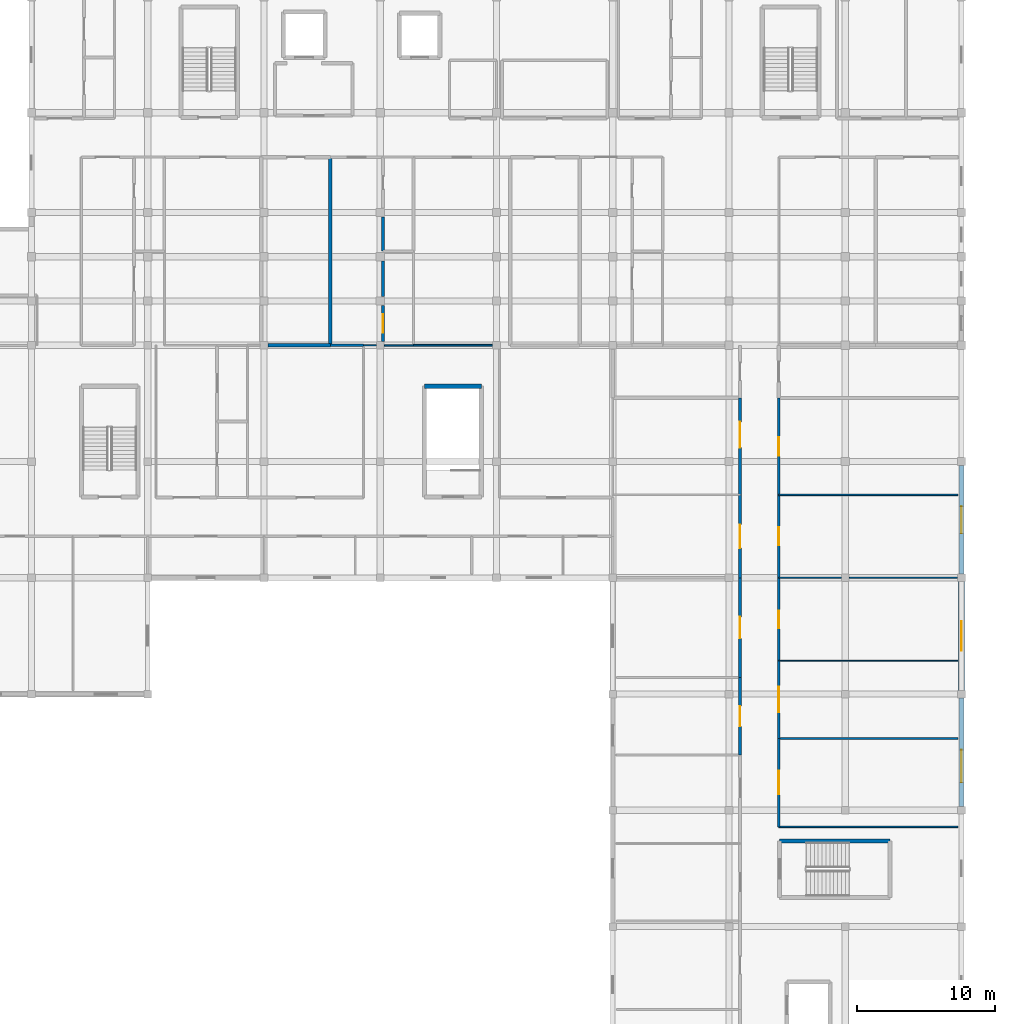
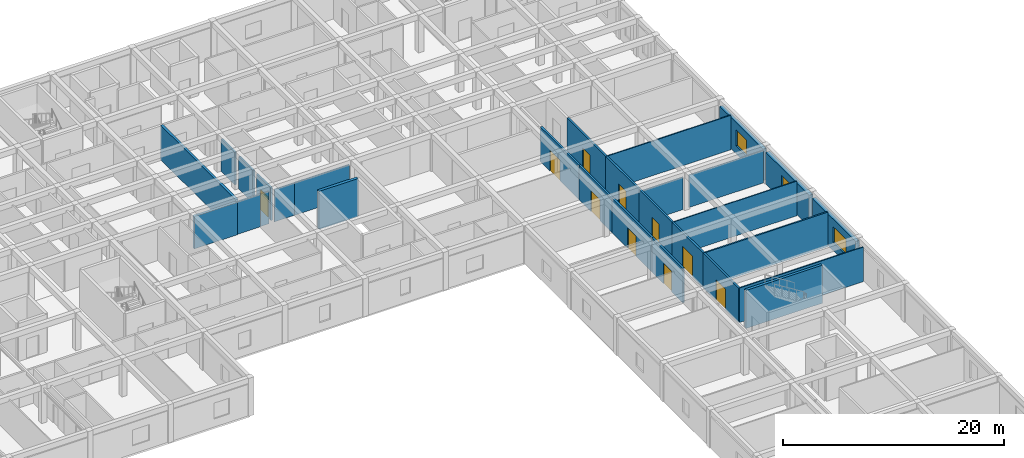
# One storey, part 27 of 42: 29 walls, 10 doors, 3 windows, 13 openings.
"""IFC4 building model written with IfcOpenShell, lengths in metres."""

import ifcopenshell
import ifcopenshell.guid

model = None  # the IFC model being written
_history = None  # IfcOwnerHistory: only IFC2X3 demands one
_inside = {}  # id of a spatial element -> (the spatial element, [elements in it])
_under = {}  # id of a project, library or spatial element -> (it, [spatial elements below it])
_declared = {}  # id of a project -> (the project, [libraries it declares])
_typed = {}  # id of a type object -> (the type object, [elements of that type])
_made_of = {}  # id of a material, layer set ... -> (it, [elements and type objects made of it])


def new_model(schema):
    """Start an empty IFC model of exactly this schema.

    Asked for "IFC4X3", IfcOpenShell would pick the latest addendum, in which some entities
    have other attributes; the version numbers below select the first issue.
    IFC2X3 requires an IfcOwnerHistory on every rooted entity: one is made here for all.
    """
    global model, _history
    if schema == "IFC4X3":
        model = ifcopenshell.file(schema_version=(4, 3, 0, 0))
    else:
        model = ifcopenshell.file(schema=schema)
    _inside.clear()
    _under.clear()
    _declared.clear()
    _typed.clear()
    _made_of.clear()
    _history = None
    if model.schema == "IFC2X3":
        org = make("IfcOrganization", Name="unknown")
        user = make(
            "IfcPersonAndOrganization",
            ThePerson=make("IfcPerson", FamilyName="unknown"),
            TheOrganization=org,
        )
        app = make(
            "IfcApplication",
            ApplicationDeveloper=org,
            Version="unknown",
            ApplicationFullName="unknown",
            ApplicationIdentifier="unknown",
        )
        _history = make(
            "IfcOwnerHistory",
            OwningUser=user,
            OwningApplication=app,
            ChangeAction="ADDED",
            CreationDate=0,
        )
    return model


def make(cls, **values):
    """One entity of the class cls with the attributes given. An attribute that is None is left unset."""
    return model.create_entity(
        cls, **{name: value for name, value in values.items() if value is not None}
    )


def rooted(cls, **values):
    """An entity with a GlobalId (a new one), such as an element, a storey or a relation."""
    return make(cls, GlobalId=ifcopenshell.guid.new(), OwnerHistory=_history, **values)


def si_unit(unit_type, name, prefix=None):
    """IfcSIUnit, for example si_unit("LENGTHUNIT", "METRE", prefix="MILLI")."""
    return make("IfcSIUnit", UnitType=unit_type, Prefix=prefix, Name=name)


def assignment(units):
    """IfcUnitAssignment: the units of a project."""
    return None if units is None else make("IfcUnitAssignment", Units=units)


def point(xyz):
    """IfcCartesianPoint."""
    return None if xyz is None else make("IfcCartesianPoint", Coordinates=xyz)


def direction(xyz):
    """IfcDirection."""
    return None if xyz is None else make("IfcDirection", DirectionRatios=xyz)


def frame(location, z_axis=None, x_axis=None):
    """IfcAxis2Placement3D, a coordinate frame: its origin and axes. An axis left out is left unset."""
    return make(
        "IfcAxis2Placement3D",
        Location=point(location),
        Axis=direction(z_axis),
        RefDirection=direction(x_axis),
    )


def frame_2d(location, x_axis=None):
    """IfcAxis2Placement2D, a coordinate frame in the plane: its origin and x axis."""
    return make(
        "IfcAxis2Placement2D", Location=point(location), RefDirection=direction(x_axis)
    )


def origin():
    """The frame at (0, 0, 0) with its axes left unset."""
    return frame((0.0, 0.0, 0.0))


def place(relative_to, where):
    """IfcLocalPlacement: puts the frame where relative to a parent placement (None: the world)."""
    return make(
        "IfcLocalPlacement", PlacementRelTo=relative_to, RelativePlacement=where
    )


def context(
    kind, dimensions, precision=None, world=None, true_north=None, identifier=None
):
    """IfcGeometricRepresentationContext, for example the 3D "Model" context."""
    return make(
        "IfcGeometricRepresentationContext",
        ContextIdentifier=identifier,
        ContextType=kind,
        CoordinateSpaceDimension=dimensions,
        Precision=precision,
        WorldCoordinateSystem=world,
        TrueNorth=true_north,
    )


def subcontext(parent, identifier, kind, view, scale=None):
    """IfcGeometricRepresentationSubContext, for example "Body" below "Model"."""
    return make(
        "IfcGeometricRepresentationSubContext",
        ContextIdentifier=identifier,
        ContextType=kind,
        ParentContext=parent,
        TargetScale=scale,
        TargetView=view,
    )


def project(units=None, contexts=None):
    """IfcProject with its units and contexts."""
    return rooted(
        "IfcProject",
        Name="project",
        RepresentationContexts=contexts,
        UnitsInContext=assignment(units),
    )


def spatial(cls, under=None, at=None, **own):
    """A site, building, storey or space (cls), placed at a placement, below another one or the project."""
    s = rooted(cls, ObjectPlacement=at, **own)
    if under is not None:
        _under.setdefault(under.id(), (under, []))[1].append(s)
    return s


def profile(cls, at=None, kind="AREA", **sizes):
    """A parametric profile (cls). Its sizes go by their IFC names, for example OverallWidth=200.0."""
    return make(cls, ProfileType=kind, Position=at, **sizes)


def rectangle(**sizes):
    """IfcRectangleProfileDef."""
    return profile("IfcRectangleProfileDef", **sizes)


def extrude(swept, where, along, depth):
    """IfcExtrudedAreaSolid: the profile swept, set in the frame where, extruded along a direction by depth."""
    return make(
        "IfcExtrudedAreaSolid",
        SweptArea=swept,
        Position=where,
        ExtrudedDirection=direction(along),
        Depth=depth,
    )


def shape(context_of_items, identifier, shape_type, items):
    """IfcShapeRepresentation: the items that make up one representation, for example the "Body"."""
    return make(
        "IfcShapeRepresentation",
        ContextOfItems=context_of_items,
        RepresentationIdentifier=identifier,
        RepresentationType=shape_type,
        Items=items,
    )


def material(Name=None, Category=None):
    """IfcMaterial."""
    return make("IfcMaterial", Name=Name, Category=Category)


def layer(
    of_material, thickness, ventilated=None, Name=None, Category=None, Priority=None
):
    """IfcMaterialLayer: one layer of a wall or slab, of a material (None: an air gap)."""
    return make(
        "IfcMaterialLayer",
        Material=of_material,
        LayerThickness=thickness,
        IsVentilated=ventilated,
        Name=Name,
        Category=Category,
        Priority=Priority,
    )


def layer_set(layers, Name=None):
    """IfcMaterialLayerSet."""
    return make("IfcMaterialLayerSet", MaterialLayers=layers, LayerSetName=Name)


def made_of(thing, what):
    """Note that an element or type object is made of a material, layer set ...; save() writes the relation."""
    if what is not None:
        _made_of.setdefault(what.id(), (what, []))[1].append(thing)
    return thing


def type_object(cls, material=None, **own):
    """A type object (cls), such as IfcWallType, which elements share."""
    return made_of(rooted(cls, **own), material)


def element(
    cls,
    number,
    at=None,
    inside=None,
    cuts=None,
    type_object=None,
    material=None,
    context=None,
    identifier="Body",
    shape_type=None,
    held_by="IfcProductDefinitionShape",
    body=None,
    shapes=None,
    **own,
):
    """One element of the class cls, such as IfcWall. Its Tag is "e" and its number.

    at: its placement. inside: the storey or other place that contains it. cuts: it is an
    opening in that element (IfcRelVoidsElement). A single representation is given by context,
    identifier, shape_type and body (its items); several are given by shapes. held_by: the class
    of the entity that holds the representations. save() writes the other relations.
    """
    e = rooted(cls, Tag="e%d" % number, ObjectPlacement=at, **own)
    if body is not None:
        shapes = [shape(context, identifier, shape_type, body)]
    if shapes is not None:
        e.Representation = make(held_by, Representations=shapes)
    if inside is not None:
        _inside.setdefault(inside.id(), (inside, []))[1].append(e)
    if cuts is not None:
        rooted(
            "IfcRelVoidsElement", RelatingBuildingElement=cuts, RelatedOpeningElement=e
        )
    if type_object is not None:
        _typed.setdefault(type_object.id(), (type_object, []))[1].append(e)
    return made_of(e, material)


def fill(opening, filler):
    """IfcRelFillsElement: the door or window that sits in an opening."""
    return rooted(
        "IfcRelFillsElement",
        RelatingOpeningElement=opening,
        RelatedBuildingElement=filler,
    )


def aggregate(whole, parts):
    """IfcRelAggregates: a whole, such as a stair, and the parts it consists of."""
    return rooted("IfcRelAggregates", RelatingObject=whole, RelatedObjects=parts)


def save(model, path):
    """Write the relations noted so far, then the file.

    IfcRelAggregates (storeys below a building ...), IfcRelContainedInSpatialStructure (elements
    in a storey), IfcRelDefinesByType, IfcRelAssociatesMaterial and IfcRelDeclares: one each for
    every whole, place, type object, material and project.
    """
    for whole, parts in _under.values():
        aggregate(whole, parts)
    for where, things in _inside.values():
        rooted(
            "IfcRelContainedInSpatialStructure",
            RelatedElements=things,
            RelatingStructure=where,
        )
    for kind, things in _typed.values():
        rooted("IfcRelDefinesByType", RelatedObjects=things, RelatingType=kind)
    for what, things in _made_of.values():
        rooted("IfcRelAssociatesMaterial", RelatedObjects=things, RelatingMaterial=what)
    for by, libraries in _declared.values():
        rooted("IfcRelDeclares", RelatingContext=by, RelatedDefinitions=libraries)
    model.write(path)


model = new_model("IFC4")

# Units and contexts
model_context = context("Model", 3, precision=1e-05, world=origin(), true_north=direction((0.0, 1.0)))
body_context = subcontext(model_context, "Body", "Model", "MODEL_VIEW")
ifc_project = project(units=[si_unit("LENGTHUNIT", "METRE"), si_unit("AREAUNIT", "SQUARE_METRE"), si_unit("VOLUMEUNIT", "CUBIC_METRE"), si_unit("PLANEANGLEUNIT", "RADIAN"), si_unit("MASSUNIT", "GRAM", prefix="KILO")], contexts=[model_context])

# Site, building, storey
site_placement = place(None, origin())
site = spatial("IfcSite", under=ifc_project, at=site_placement, CompositionType="ELEMENT")
building_placement = place(site_placement, origin())
building = spatial("IfcBuilding", under=site, at=building_placement, Name="Varncliffe General Hospital", CompositionType="ELEMENT")
storey_placement = place(building_placement, frame((0.0, 0.0, 20.39990234375)))
storey = spatial("IfcBuildingStorey", under=building, at=storey_placement, Name="L04", CompositionType="ELEMENT", Elevation=20.39990234375)

# Wall, opening, window
ifc_material_1 = material(Name="Precast concrete C40/50 with insulated cream lime-cement stucco", Category="concrete")
ifc_layer_1 = layer(ifc_material_1, 0.3798828125)
ifc_layer_set_1 = layer_set([ifc_layer_1], Name="Precast concrete C40/50 with insulated cream lime-cement stucco")
wall_type_1 = type_object("IfcWallType", Name="Exterior Insulated Stucco Wall EW26 (380mm)", PredefinedType="SOLIDWALL", material=ifc_layer_set_1)
wall_1_placement = place(storey_placement, frame((176.39990234375, 74.126953125, 0.0), z_axis=(0.0, 0.0, 1.0), x_axis=(0.0, -1.0, 0.0)))
wall_1 = element("IfcWall", 1, at=wall_1_placement, inside=storey, type_object=wall_type_1, Name="L04 Exterior Stucco Wall EW26-382", PredefinedType="SOLIDWALL", context=body_context, shape_type="SweptSolid", body=[
    extrude(rectangle(XDim=7.85400390625, YDim=0.3798828125, at=frame_2d((3.927001953125, 0.0))), origin(), (0.0, 0.0, 1.0), 3.47998046875),
])
opening_1_placement = place(wall_1_placement, frame((3.764892578125, 0.0, 0.89990234375)))
opening_1 = element("IfcOpeningElement", 2, at=opening_1_placement, cuts=wall_1, Name="Opening WN31", PredefinedType="OPENING", context=body_context, shape_type="SweptSolid", body=[
    extrude(rectangle(XDim=2.35009765625, YDim=1.75, at=frame_2d((1.175048828125, 0.875))), frame((0.0, 0.199951171875, 0.0), z_axis=(0.0, -1.0, 0.0), x_axis=(1.0, 0.0, 0.0)), (0.0, 0.0, 1.0), 0.39990234375),
])
ifc_material_2 = material(Name="Triple low-E argon insulated vision glazing", Category="glass")
window_type_1 = type_object("IfcWindowType", Name="Triple-Glazed Hospital Window WN31 (2350x1750)", PartitioningType="DOUBLE_PANEL_VERTICAL", PredefinedType="WINDOW", material=ifc_material_2)
window_1_placement = place(opening_1_placement, origin())
window_1 = element("IfcWindow", 3, at=window_1_placement, inside=storey, type_object=window_type_1, Name="L04 Hospital Window WN31-287", OverallHeight=1.75, OverallWidth=2.35009765625, PartitioningType="DOUBLE_PANEL_VERTICAL", PredefinedType="WINDOW", context=body_context, shape_type="SweptSolid", body=[
    extrude(rectangle(XDim=2.35009765625, YDim=1.75, at=frame_2d((1.175048828125, 0.875))), frame((0.0, 0.030029296875, 0.0), z_axis=(0.0, -1.0, 0.0), x_axis=(1.0, 0.0, 0.0)), (0.0, 0.0, 1.0), 0.06005859375),
])
fill(opening_1, window_1)

ifc_layer_2 = layer(ifc_material_1, 0.35009765625)
ifc_layer_set_2 = layer_set([ifc_layer_2], Name="Precast concrete C40/50 with insulated cream lime-cement stucco")
wall_type_2 = type_object("IfcWallType", Name="Exterior Insulated Stucco Wall EW37 (350mm)", PredefinedType="SOLIDWALL", material=ifc_layer_set_2)
wall_2_placement = place(storey_placement, frame((176.39990234375, 90.902099609375, 0.0), z_axis=(0.0, 0.0, 1.0), x_axis=(0.0, -1.0, 0.0)))
wall_2 = element("IfcWall", 4, at=wall_2_placement, inside=storey, type_object=wall_type_2, Name="L04 Exterior Stucco Wall EW37-380", PredefinedType="SOLIDWALL", context=body_context, shape_type="SweptSolid", body=[
    extrude(rectangle(XDim=7.8291015625, YDim=0.35009765625, at=frame_2d((3.91455078125, 0.0))), origin(), (0.0, 0.0, 1.0), 3.47998046875),
])
opening_2_placement = place(wall_2_placement, frame((2.939453125, 0.0, 0.89990234375)))
opening_2 = element("IfcOpeningElement", 5, at=opening_2_placement, cuts=wall_2, Name="Opening WN71", PredefinedType="OPENING", context=body_context, shape_type="SweptSolid", body=[
    extrude(rectangle(XDim=1.949951171875, YDim=1.75, at=frame_2d((0.97509765625, 0.875))), frame((0.0, 0.18505859375, 0.0), z_axis=(0.0, -1.0, 0.0), x_axis=(1.0, 0.0, 0.0)), (0.0, 0.0, 1.0), 0.3701171875),
])
window_type_2 = type_object("IfcWindowType", Name="Triple-Glazed Hospital Window WN71 (1950x1750)", PartitioningType="DOUBLE_PANEL_VERTICAL", PredefinedType="WINDOW", material=ifc_material_2)
window_2_placement = place(opening_2_placement, origin())
window_2 = element("IfcWindow", 6, at=window_2_placement, inside=storey, type_object=window_type_2, Name="L04 Hospital Window WN71-285", OverallHeight=1.75, OverallWidth=1.949951171875, PartitioningType="DOUBLE_PANEL_VERTICAL", PredefinedType="WINDOW", context=body_context, shape_type="SweptSolid", body=[
    extrude(rectangle(XDim=1.949951171875, YDim=1.75, at=frame_2d((0.97509765625, 0.875))), frame((0.0, 0.030029296875, 0.0), z_axis=(0.0, -1.0, 0.0), x_axis=(1.0, 0.0, 0.0)), (0.0, 0.0, 1.0), 0.06005859375),
])
fill(opening_2, window_2)

ifc_layer_3 = layer(ifc_material_1, 0.39990234375)
ifc_layer_set_3 = layer_set([ifc_layer_3], Name="Precast concrete C40/50 with insulated cream lime-cement stucco")
wall_type_3 = type_object("IfcWallType", Name="Exterior Insulated Stucco Wall EW47 (400mm)", PredefinedType="SOLIDWALL", material=ifc_layer_set_3)
wall_3_placement = place(storey_placement, frame((176.39990234375, 82.527099609375, 0.0), z_axis=(0.0, 0.0, 1.0), x_axis=(0.0, -1.0, 0.0)))
wall_3 = element("IfcWall", 7, at=wall_3_placement, inside=storey, type_object=wall_type_3, Name="L04 Exterior Stucco Wall EW47-381", PredefinedType="SOLIDWALL", context=body_context, shape_type="SweptSolid", body=[
    extrude(rectangle(XDim=7.85400390625, YDim=0.39990234375, at=frame_2d((3.927001953125, 0.0))), origin(), (0.0, 0.0, 1.0), 3.47998046875),
])
opening_3_placement = place(wall_3_placement, frame((2.85205078125, 0.0, 0.89990234375)))
opening_3 = element("IfcOpeningElement", 8, at=opening_3_placement, cuts=wall_3, Name="Opening WN63", PredefinedType="OPENING", context=body_context, shape_type="SweptSolid", body=[
    extrude(rectangle(XDim=2.14990234375, YDim=1.75, at=frame_2d((1.074951171875, 0.875))), frame((0.0, 0.2099609375, 0.0), z_axis=(0.0, -1.0, 0.0), x_axis=(1.0, 0.0, 0.0)), (0.0, 0.0, 1.0), 0.419921875),
])
window_type_3 = type_object("IfcWindowType", Name="Triple-Glazed Hospital Window WN63 (2150x1750)", PartitioningType="DOUBLE_PANEL_VERTICAL", PredefinedType="WINDOW", material=ifc_material_2)
window_3_placement = place(opening_3_placement, origin())
window_3 = element("IfcWindow", 9, at=window_3_placement, inside=storey, type_object=window_type_3, Name="L04 Hospital Window WN63-286", OverallHeight=1.75, OverallWidth=2.14990234375, PartitioningType="DOUBLE_PANEL_VERTICAL", PredefinedType="WINDOW", context=body_context, shape_type="SweptSolid", body=[
    extrude(rectangle(XDim=2.14990234375, YDim=1.75, at=frame_2d((1.074951171875, 0.875))), frame((0.0, 0.030029296875, 0.0), z_axis=(0.0, -1.0, 0.0), x_axis=(1.0, 0.0, 0.0)), (0.0, 0.0, 1.0), 0.06005859375),
])
fill(opening_3, window_3)

# Walls
ifc_material_3 = material(Name="Acoustic clinical gypsum stud partition assembly", Category="gypsum")
ifc_layer_4 = layer(ifc_material_3, 0.1298828125)
ifc_layer_set_4 = layer_set([ifc_layer_4], Name="Acoustic clinical gypsum stud partition assembly")
wall_type_4 = type_object("IfcWallType", Name="Interior Partitioning IW11 (130mm)", PredefinedType="PARTITIONING", material=ifc_layer_set_4)
wall_4_placement = place(storey_placement, frame((136.800048828125, 99.60009765625, 0.0), z_axis=(0.0, 0.0, 1.0), x_axis=(1.0, 0.0, 0.0)))
element("IfcWall", 10, at=wall_4_placement, inside=storey, type_object=wall_type_4, Name="L04 Interior Partition Wall IW11-1763", PredefinedType="PARTITIONING", context=body_context, shape_type="SweptSolid", body=[
    extrude(rectangle(XDim=5.7099609375, YDim=0.1298828125, at=frame_2d((2.85498046875, 0.0))), origin(), (0.0, 0.0, 1.0), 3.585205078125),
])
ifc_layer_5 = layer(ifc_material_3, 0.169921875)
ifc_layer_set_5 = layer_set([ifc_layer_5], Name="Acoustic clinical gypsum stud partition assembly")
wall_type_5 = type_object("IfcWallType", Name="Interior Partitioning IW20 (170mm)", PredefinedType="PARTITIONING", material=ifc_layer_set_5)
wall_5_placement = place(storey_placement, frame((130.800048828125, 99.60009765625, 0.0), z_axis=(0.0, 0.0, 1.0), x_axis=(1.0, 0.0, 0.0)))
element("IfcWall", 11, at=wall_5_placement, inside=storey, type_object=wall_type_5, Name="L04 Interior Partition Wall IW20-1760", PredefinedType="PARTITIONING", context=body_context, shape_type="SweptSolid", body=[
    extrude(rectangle(XDim=2.39990234375, YDim=0.169921875, at=frame_2d((1.199951171875, 0.0))), origin(), (0.0, 0.0, 1.0), 3.585205078125),
])
ifc_layer_6 = layer(ifc_material_3, 0.14990234375)
ifc_layer_set_6 = layer_set([ifc_layer_6], Name="Acoustic clinical gypsum stud partition assembly")
wall_type_6 = type_object("IfcWallType", Name="Interior Partitioning IW35 (150mm)", PredefinedType="PARTITIONING", material=ifc_layer_set_6)
wall_6_placement = place(storey_placement, frame((163.199951171875, 71.199951171875, 0.0), z_axis=(0.0, 0.0, 1.0), x_axis=(1.0, 0.0, 0.0)))
element("IfcWall", 12, at=wall_6_placement, inside=storey, type_object=wall_type_6, Name="L04 Interior Partition Wall IW35-1689", PredefinedType="PARTITIONING", context=body_context, shape_type="SweptSolid", body=[
    extrude(rectangle(XDim=12.93994140625, YDim=0.14990234375, at=frame_2d((6.469970703125, 0.0))), origin(), (0.0, 0.0, 1.0), 3.820068359375),
])
ifc_layer_7 = layer(ifc_material_3, 0.090087890625)
ifc_layer_set_7 = layer_set([ifc_layer_7], Name="Acoustic clinical gypsum stud partition assembly")
wall_type_7 = type_object("IfcWallType", Name="Interior Partitioning IW42 (90mm)", PredefinedType="PARTITIONING", material=ifc_layer_set_7)
wall_7_placement = place(storey_placement, frame((163.199951171875, 76.800048828125, 0.0), z_axis=(0.0, 0.0, 1.0), x_axis=(1.0, 0.0, 0.0)))
element("IfcWall", 13, at=wall_7_placement, inside=storey, type_object=wall_type_7, Name="L04 Interior Partition Wall IW42-1691", PredefinedType="PARTITIONING", context=body_context, shape_type="SweptSolid", body=[
    extrude(rectangle(XDim=12.93994140625, YDim=0.090087890625, at=frame_2d((6.469970703125, 0.0))), origin(), (0.0, 0.0, 1.0), 3.820068359375),
])
wall_8_placement = place(storey_placement, frame((168.2900390625, 82.800048828125, 0.0), z_axis=(0.0, 0.0, 1.0), x_axis=(1.0, 0.0, 0.0)))
element("IfcWall", 14, at=wall_8_placement, inside=storey, type_object=wall_type_7, Name="L04 Interior Partition Wall IW42-1696", PredefinedType="PARTITIONING", context=body_context, shape_type="SweptSolid", body=[
    extrude(rectangle(XDim=7.820068359375, YDim=0.090087890625, at=frame_2d((3.91015625, 0.0))), origin(), (0.0, 0.0, 1.0), 3.585205078125),
])
wall_9_placement = place(storey_placement, frame((163.199951171875, 82.800048828125, 0.0), z_axis=(0.0, 0.0, 1.0), x_axis=(1.0, 0.0, 0.0)))
element("IfcWall", 15, at=wall_9_placement, inside=storey, type_object=wall_type_7, Name="L04 Interior Partition Wall IW42-1697", PredefinedType="PARTITIONING", context=body_context, shape_type="SweptSolid", body=[
    extrude(rectangle(XDim=4.510009765625, YDim=0.090087890625, at=frame_2d((2.2548828125, 0.0))), origin(), (0.0, 0.0, 1.0), 3.585205078125),
])
wall_10_placement = place(storey_placement, frame((133.199951171875, 99.60009765625, 0.0), z_axis=(0.0, 0.0, 1.0), x_axis=(1.0, 0.0, 0.0)))
element("IfcWall", 16, at=wall_10_placement, inside=storey, type_object=wall_type_7, Name="L04 Interior Partition Wall IW42-1761", PredefinedType="PARTITIONING", context=body_context, shape_type="SweptSolid", body=[
    extrude(rectangle(XDim=0.91015625, YDim=0.090087890625, at=frame_2d((0.455078125, 0.0))), origin(), (0.0, 0.0, 1.0), 3.585205078125),
])
ifc_layer_8 = layer(ifc_material_3, 0.110107421875)
ifc_layer_set_8 = layer_set([ifc_layer_8], Name="Acoustic clinical gypsum stud partition assembly")
wall_type_8 = type_object("IfcWallType", Name="Interior Partitioning IW65 (110mm)", PredefinedType="PARTITIONING", material=ifc_layer_set_8)
for number, where, z_axis, x_axis, name in (
    (17, (163.199951171875, 64.800048828125, 0.0), (0.0, 0.0, 1.0), (1.0, 0.0, 0.0), "L04 Interior Partition Wall IW65-1687"),
    (18, (163.199951171875, 88.800048828125, 0.0), (0.0, 0.0, 1.0), (1.0, 0.0, 0.0), "L04 Interior Partition Wall IW65-1727"),
):
    element("IfcWall", number, at=place(storey_placement, frame(where, z_axis=z_axis, x_axis=x_axis)), inside=storey, type_object=wall_type_8, Name=name, PredefinedType="PARTITIONING", context=body_context, shape_type="SweptSolid", body=[
        extrude(rectangle(XDim=12.93994140625, YDim=0.110107421875, at=frame_2d((6.469970703125, 0.0))), origin(), (0.0, 0.0, 1.0), 3.820068359375),
    ])
wall_11_placement = place(storey_placement, frame((134.68994140625, 99.60009765625, 0.0), z_axis=(0.0, 0.0, 1.0), x_axis=(1.0, 0.0, 0.0)))
element("IfcWall", 19, at=wall_11_placement, inside=storey, type_object=wall_type_8, Name="L04 Interior Partition Wall IW65-1762", PredefinedType="PARTITIONING", context=body_context, shape_type="SweptSolid", body=[
    extrude(rectangle(XDim=2.110107421875, YDim=0.110107421875, at=frame_2d((1.05517578125, 0.0))), origin(), (0.0, 0.0, 1.0), 3.585205078125),
])
ifc_material_4 = material(Name="Fire-rated gypsum and mineral-wool partition assembly", Category="gypsum")
ifc_layer_9 = layer(ifc_material_4, 0.25)
ifc_layer_set_9 = layer_set([ifc_layer_9], Name="Fire-rated gypsum and mineral-wool partition assembly")
wall_type_9 = type_object("IfcWallType", Name="Interior Partitioning PW38 (250mm)", PredefinedType="PARTITIONING", material=ifc_layer_set_9)
wall_12_placement = place(storey_placement, frame((126.2900390625, 99.60009765625, 0.0), z_axis=(0.0, 0.0, 1.0), x_axis=(1.0, 0.0, 0.0)))
element("IfcWall", 20, at=wall_12_placement, inside=storey, type_object=wall_type_9, Name="L04 Interior Partition Wall PW38-1759", PredefinedType="PARTITIONING", context=body_context, shape_type="SweptSolid", body=[
    extrude(rectangle(XDim=4.510009765625, YDim=0.25, at=frame_2d((2.2548828125, 0.0))), origin(), (0.0, 0.0, 1.0), 3.585205078125),
])
wall_13_placement = place(storey_placement, frame((130.800048828125, 99.60009765625, 0.0), z_axis=(0.0, 0.0, 1.0), x_axis=(0.0, 1.0, 0.0)))
element("IfcWall", 21, at=wall_13_placement, inside=storey, type_object=wall_type_9, Name="L04 Interior Partition Wall PW38-1939", PredefinedType="PARTITIONING", context=body_context, shape_type="SweptSolid", body=[
    extrude(rectangle(XDim=13.599853515625, YDim=0.25, at=frame_2d((6.7998046875, 0.0))), origin(), (0.0, 0.0, 1.0), 3.820068359375),
])

# Wall, opening, door
ifc_layer_10 = layer(ifc_material_4, 0.199951171875)
ifc_layer_set_10 = layer_set([ifc_layer_10], Name="Fire-rated gypsum and mineral-wool partition assembly")
wall_type_10 = type_object("IfcWallType", Name="Interior Partitioning PW63 (200mm)", PredefinedType="PARTITIONING", material=ifc_layer_set_10)
wall_14_placement = place(storey_placement, frame((134.60009765625, 99.889892578125, 0.0), z_axis=(0.0, 0.0, 1.0), x_axis=(0.0, 1.0, 0.0)))
wall_14 = element("IfcWall", 22, at=wall_14_placement, inside=storey, type_object=wall_type_10, Name="L04 Interior Partition Wall PW63-1943", PredefinedType="PARTITIONING", context=body_context, shape_type="SweptSolid", body=[
    extrude(rectangle(XDim=2.59521484375, YDim=0.199951171875, at=frame_2d((1.297607421875, 0.0))), origin(), (0.0, 0.0, 1.0), 3.585205078125),
])
opening_4_placement = place(wall_14_placement, frame((0.62255859375, 0.0, 0.0)))
opening_4 = element("IfcOpeningElement", 23, at=opening_4_placement, cuts=wall_14, Name="Opening DC85", PredefinedType="OPENING", context=body_context, shape_type="SweptSolid", body=[
    extrude(rectangle(XDim=1.35009765625, YDim=2.199951171875, at=frame_2d((0.675048828125, 1.10009765625))), frame((0.0, 0.10986328125, 0.0), z_axis=(0.0, -1.0, 0.0), x_axis=(1.0, 0.0, 0.0)), (0.0, 0.0, 1.0), 0.219970703125),
])
ifc_material_5 = material(Name="Fire-rated hospital steel-frame vision-panel door", Category="steel")
door_type_1 = type_object("IfcDoorType", Name="Interior Hospital Door DC85 (1350x2200)", OperationType="NOTDEFINED", PredefinedType="DOOR", material=ifc_material_5)
door_1_placement = place(opening_4_placement, frame((1.35009765625, 0.0, 0.0), z_axis=(0.0, 0.0, 1.0), x_axis=(-1.0, 0.0, 0.0)))
door_1 = element("IfcDoor", 24, at=door_1_placement, inside=storey, type_object=door_type_1, Name="L04 Patient Medication and Hygiene Bay 102 Door", OperationType="SINGLE_SWING_RIGHT", OverallHeight=2.199951171875, OverallWidth=1.35009765625, PredefinedType="DOOR", context=body_context, shape_type="SweptSolid", body=[
    extrude(rectangle(XDim=1.35009765625, YDim=2.199951171875, at=frame_2d((0.675048828125, 1.10009765625))), frame((0.0, 0.02490234375, 0.0), z_axis=(0.0, -1.0, 0.0), x_axis=(1.0, 0.0, 0.0)), (0.0, 0.0, 1.0), 0.050048828125),
])
fill(opening_4, door_1)

# Walls
wall_15_placement = place(storey_placement, frame((134.60009765625, 103.114990234375, 0.0), z_axis=(0.0, 0.0, 1.0), x_axis=(0.0, 1.0, 0.0)))
element("IfcWall", 25, at=wall_15_placement, inside=storey, type_object=wall_type_10, Name="L04 Interior Partition Wall PW63-1944", PredefinedType="PARTITIONING", context=body_context, shape_type="SweptSolid", body=[
    extrude(rectangle(XDim=2.570068359375, YDim=0.199951171875, at=frame_2d((1.28515625, 0.0))), origin(), (0.0, 0.0, 1.0), 3.585205078125),
])
wall_16_placement = place(storey_placement, frame((134.60009765625, 106.39990234375, 0.0), z_axis=(0.0, 0.0, 1.0), x_axis=(0.0, 1.0, 0.0)))
element("IfcWall", 26, at=wall_16_placement, inside=storey, type_object=wall_type_10, Name="L04 Interior Partition Wall PW63-1946", PredefinedType="PARTITIONING", context=body_context, shape_type="SweptSolid", body=[
    extrude(rectangle(XDim=2.485107421875, YDim=0.199951171875, at=frame_2d((1.24267578125, 0.0))), origin(), (0.0, 0.0, 1.0), 3.585205078125),
])

# Wall, opening, door
wall_17_placement = place(storey_placement, frame((160.39990234375, 70.0, 0.0), z_axis=(0.0, 0.0, 1.0), x_axis=(0.0, 1.0, 0.0)))
wall_17 = element("IfcWall", 27, at=wall_17_placement, inside=storey, type_object=wall_type_10, Name="L04 Interior Partition Wall PW63-1982", PredefinedType="PARTITIONING", context=body_context, shape_type="SweptSolid", body=[
    extrude(rectangle(XDim=5.60009765625, YDim=0.199951171875, at=frame_2d((2.800048828125, 0.0))), origin(), (0.0, 0.0, 1.0), 3.820068359375),
])
opening_5_placement = place(wall_17_placement, frame((2.074951171875, 0.0, 0.0)))
opening_5 = element("IfcOpeningElement", 28, at=opening_5_placement, cuts=wall_17, Name="Opening DC66", PredefinedType="OPENING", context=body_context, shape_type="SweptSolid", body=[
    extrude(rectangle(XDim=1.449951171875, YDim=2.25, at=frame_2d((0.72509765625, 1.125))), frame((0.0, 0.10986328125, 0.0), z_axis=(0.0, -1.0, 0.0), x_axis=(1.0, 0.0, 0.0)), (0.0, 0.0, 1.0), 0.219970703125),
])
door_type_2 = type_object("IfcDoorType", Name="Interior Hospital Door DC66 (1450x2250)", OperationType="NOTDEFINED", PredefinedType="DOOR", material=ifc_material_5)
door_2_placement = place(opening_5_placement, origin())
door_2 = element("IfcDoor", 29, at=door_2_placement, inside=storey, type_object=door_type_2, Name="L04 Neurology Outpatient Consultation Room 70 Door", OperationType="SINGLE_SWING_LEFT", OverallHeight=2.25, OverallWidth=1.449951171875, PredefinedType="DOOR", context=body_context, shape_type="SweptSolid", body=[
    extrude(rectangle(XDim=1.449951171875, YDim=2.25, at=frame_2d((0.72509765625, 1.125))), frame((0.0, 0.02490234375, 0.0), z_axis=(0.0, -1.0, 0.0), x_axis=(1.0, 0.0, 0.0)), (0.0, 0.0, 1.0), 0.050048828125),
])
fill(opening_5, door_2)

wall_18_placement = place(storey_placement, frame((160.39990234375, 75.60009765625, 0.0), z_axis=(0.0, 0.0, 1.0), x_axis=(0.0, 1.0, 0.0)))
wall_18 = element("IfcWall", 30, at=wall_18_placement, inside=storey, type_object=wall_type_10, Name="L04 Interior Partition Wall PW63-1983", PredefinedType="PARTITIONING", context=body_context, shape_type="SweptSolid", body=[
    extrude(rectangle(XDim=7.199951171875, YDim=0.199951171875, at=frame_2d((3.60009765625, 0.0))), origin(), (0.0, 0.0, 1.0), 3.820068359375),
])
opening_6_placement = place(wall_18_placement, frame((2.824951171875, 0.0, 0.0)))
opening_6 = element("IfcOpeningElement", 31, at=opening_6_placement, cuts=wall_18, Name="Opening DC67", PredefinedType="OPENING", context=body_context, shape_type="SweptSolid", body=[
    extrude(rectangle(XDim=1.550048828125, YDim=2.25, at=frame_2d((0.77490234375, 1.125))), frame((0.0, 0.10986328125, 0.0), z_axis=(0.0, -1.0, 0.0), x_axis=(1.0, 0.0, 0.0)), (0.0, 0.0, 1.0), 0.219970703125),
])
door_type_3 = type_object("IfcDoorType", Name="Interior Hospital Door DC67 (1550x2250)", OperationType="NOTDEFINED", PredefinedType="DOOR", material=ifc_material_5)
door_3_placement = place(opening_6_placement, origin())
door_3 = element("IfcDoor", 32, at=door_3_placement, inside=storey, type_object=door_type_3, Name="L04 Cardiology Diagnostics and Stress Echo Clinic 71 Door", OperationType="SINGLE_SWING_RIGHT", OverallHeight=2.25, OverallWidth=1.550048828125, PredefinedType="DOOR", context=body_context, shape_type="SweptSolid", body=[
    extrude(rectangle(XDim=1.550048828125, YDim=2.25, at=frame_2d((0.77490234375, 1.125))), frame((0.0, 0.02490234375, 0.0), z_axis=(0.0, -1.0, 0.0), x_axis=(1.0, 0.0, 0.0)), (0.0, 0.0, 1.0), 0.050048828125),
])
fill(opening_6, door_3)

wall_19_placement = place(storey_placement, frame((160.39990234375, 82.800048828125, 0.0), z_axis=(0.0, 0.0, 1.0), x_axis=(0.0, 1.0, 0.0)))
wall_19 = element("IfcWall", 33, at=wall_19_placement, inside=storey, type_object=wall_type_10, Name="L04 Interior Partition Wall PW63-1984", PredefinedType="PARTITIONING", context=body_context, shape_type="SweptSolid", body=[
    extrude(rectangle(XDim=6.0, YDim=0.199951171875, at=frame_2d((3.0, 0.0))), origin(), (0.0, 0.0, 1.0), 3.820068359375),
])
opening_7_placement = place(wall_19_placement, frame((2.14990234375, 0.0, 0.0)))
opening_7 = element("IfcOpeningElement", 34, at=opening_7_placement, cuts=wall_19, Name="Opening DC50", PredefinedType="OPENING", context=body_context, shape_type="SweptSolid", body=[
    extrude(rectangle(XDim=1.699951171875, YDim=2.300048828125, at=frame_2d((0.85009765625, 1.14990234375))), frame((0.0, 0.10986328125, 0.0), z_axis=(0.0, -1.0, 0.0), x_axis=(1.0, 0.0, 0.0)), (0.0, 0.0, 1.0), 0.219970703125),
])
door_type_4 = type_object("IfcDoorType", Name="Interior Hospital Door DC50 (1700x2300)", OperationType="NOTDEFINED", PredefinedType="DOOR", material=ifc_material_5)
door_4_placement = place(opening_7_placement, origin())
door_4 = element("IfcDoor", 35, at=door_4_placement, inside=storey, type_object=door_type_4, Name="L04 Cardiology Telemetry Inpatient Room 129 Door", OperationType="SINGLE_SWING_LEFT", OverallHeight=2.300048828125, OverallWidth=1.699951171875, PredefinedType="DOOR", context=body_context, shape_type="SweptSolid", body=[
    extrude(rectangle(XDim=1.699951171875, YDim=2.300048828125, at=frame_2d((0.85009765625, 1.14990234375))), frame((0.0, 0.02490234375, 0.0), z_axis=(0.0, -1.0, 0.0), x_axis=(1.0, 0.0, 0.0)), (0.0, 0.0, 1.0), 0.050048828125),
])
fill(opening_7, door_4)

wall_20_placement = place(storey_placement, frame((160.39990234375, 88.800048828125, 0.0), z_axis=(0.0, 0.0, 1.0), x_axis=(0.0, 1.0, 0.0)))
wall_20 = element("IfcWall", 36, at=wall_20_placement, inside=storey, type_object=wall_type_10, Name="L04 Interior Partition Wall PW63-1985", PredefinedType="PARTITIONING", context=body_context, shape_type="SweptSolid", body=[
    extrude(rectangle(XDim=7.0, YDim=0.199951171875, at=frame_2d((3.5, 0.0))), origin(), (0.0, 0.0, 1.0), 3.820068359375),
])
opening_8_placement = place(wall_20_placement, frame((3.41552734375, 0.0, 0.0)))
opening_8 = element("IfcOpeningElement", 37, at=opening_8_placement, cuts=wall_20, Name="Opening DC38", PredefinedType="OPENING", context=body_context, shape_type="SweptSolid", body=[
    extrude(rectangle(XDim=1.85009765625, YDim=2.300048828125, at=frame_2d((0.925048828125, 1.14990234375))), frame((0.0, 0.10986328125, 0.0), z_axis=(0.0, -1.0, 0.0), x_axis=(1.0, 0.0, 0.0)), (0.0, 0.0, 1.0), 0.219970703125),
])
door_type_5 = type_object("IfcDoorType", Name="Interior Hospital Door DC38 (1850x2300)", OperationType="NOTDEFINED", PredefinedType="DOOR", material=ifc_material_5)
door_5_placement = place(opening_8_placement, origin())
door_5 = element("IfcDoor", 38, at=door_5_placement, inside=storey, type_object=door_type_5, Name="L04 Telemetry Central Monitoring Station 130 Door", OperationType="SINGLE_SWING_RIGHT", OverallHeight=2.300048828125, OverallWidth=1.85009765625, PredefinedType="DOOR", context=body_context, shape_type="SweptSolid", body=[
    extrude(rectangle(XDim=1.85009765625, YDim=2.300048828125, at=frame_2d((0.925048828125, 1.14990234375))), frame((0.0, 0.02490234375, 0.0), z_axis=(0.0, -1.0, 0.0), x_axis=(1.0, 0.0, 0.0)), (0.0, 0.0, 1.0), 0.050048828125),
])
fill(opening_8, door_5)

wall_21_placement = place(storey_placement, frame((163.199951171875, 64.800048828125, 0.0), z_axis=(0.0, 0.0, 1.0), x_axis=(0.0, 1.0, 0.0)))
wall_21 = element("IfcWall", 39, at=wall_21_placement, inside=storey, type_object=wall_type_10, Name="L04 Interior Partition Wall PW63-1991", PredefinedType="PARTITIONING", context=body_context, shape_type="SweptSolid", body=[
    extrude(rectangle(XDim=6.39990234375, YDim=0.199951171875, at=frame_2d((3.199951171875, 0.0))), origin(), (0.0, 0.0, 1.0), 3.820068359375),
])
opening_9_placement = place(wall_21_placement, frame((2.35009765625, 0.0, 0.0)))
opening_9 = element("IfcOpeningElement", 40, at=opening_9_placement, cuts=wall_21, Name="Opening DC50", PredefinedType="OPENING", context=body_context, shape_type="SweptSolid", body=[
    extrude(rectangle(XDim=1.699951171875, YDim=2.300048828125, at=frame_2d((0.85009765625, 1.14990234375))), frame((0.0, 0.10986328125, 0.0), z_axis=(0.0, -1.0, 0.0), x_axis=(1.0, 0.0, 0.0)), (0.0, 0.0, 1.0), 0.219970703125),
])
door_6_placement = place(opening_9_placement, frame((1.699951171875, 0.0, 0.0), z_axis=(0.0, 0.0, 1.0), x_axis=(-1.0, 0.0, 0.0)))
door_6 = element("IfcDoor", 41, at=door_6_placement, inside=storey, type_object=door_type_4, Name="L04 Cardiology Diagnostics and Stress Echo Clinic 76 Door", OperationType="SINGLE_SWING_RIGHT", OverallHeight=2.300048828125, OverallWidth=1.699951171875, PredefinedType="DOOR", context=body_context, shape_type="SweptSolid", body=[
    extrude(rectangle(XDim=1.699951171875, YDim=2.300048828125, at=frame_2d((0.85009765625, 1.14990234375))), frame((0.0, 0.02490234375, 0.0), z_axis=(0.0, -1.0, 0.0), x_axis=(1.0, 0.0, 0.0)), (0.0, 0.0, 1.0), 0.050048828125),
])
fill(opening_9, door_6)

wall_22_placement = place(storey_placement, frame((163.199951171875, 71.199951171875, 0.0), z_axis=(0.0, 0.0, 1.0), x_axis=(0.0, 1.0, 0.0)))
wall_22 = element("IfcWall", 42, at=wall_22_placement, inside=storey, type_object=wall_type_10, Name="L04 Interior Partition Wall PW63-1992", PredefinedType="PARTITIONING", context=body_context, shape_type="SweptSolid", body=[
    extrude(rectangle(XDim=5.60009765625, YDim=0.199951171875, at=frame_2d((2.800048828125, 0.0))), origin(), (0.0, 0.0, 1.0), 3.820068359375),
])
opening_10_placement = place(wall_22_placement, frame((1.875, 0.0, 0.0)))
opening_10 = element("IfcOpeningElement", 43, at=opening_10_placement, cuts=wall_22, Name="Opening DC38", PredefinedType="OPENING", context=body_context, shape_type="SweptSolid", body=[
    extrude(rectangle(XDim=1.85009765625, YDim=2.300048828125, at=frame_2d((0.925048828125, 1.14990234375))), frame((0.0, 0.10986328125, 0.0), z_axis=(0.0, -1.0, 0.0), x_axis=(1.0, 0.0, 0.0)), (0.0, 0.0, 1.0), 0.219970703125),
])
door_7_placement = place(opening_10_placement, frame((1.85009765625, 0.0, 0.0), z_axis=(0.0, 0.0, 1.0), x_axis=(-1.0, 0.0, 0.0)))
door_7 = element("IfcDoor", 44, at=door_7_placement, inside=storey, type_object=door_type_5, Name="L04 Neurology Outpatient Consultation Room 77 Door", OperationType="SINGLE_SWING_LEFT", OverallHeight=2.300048828125, OverallWidth=1.85009765625, PredefinedType="DOOR", context=body_context, shape_type="SweptSolid", body=[
    extrude(rectangle(XDim=1.85009765625, YDim=2.300048828125, at=frame_2d((0.925048828125, 1.14990234375))), frame((0.0, 0.02490234375, 0.0), z_axis=(0.0, -1.0, 0.0), x_axis=(1.0, 0.0, 0.0)), (0.0, 0.0, 1.0), 0.050048828125),
])
fill(opening_10, door_7)

wall_23_placement = place(storey_placement, frame((163.199951171875, 76.800048828125, 0.0), z_axis=(0.0, 0.0, 1.0), x_axis=(0.0, 1.0, 0.0)))
wall_23 = element("IfcWall", 45, at=wall_23_placement, inside=storey, type_object=wall_type_10, Name="L04 Interior Partition Wall PW63-1993", PredefinedType="PARTITIONING", context=body_context, shape_type="SweptSolid", body=[
    extrude(rectangle(XDim=6.0, YDim=0.199951171875, at=frame_2d((3.0, 0.0))), origin(), (0.0, 0.0, 1.0), 3.820068359375),
])
opening_11_placement = place(wall_23_placement, frame((2.375, 0.0, 0.0)))
opening_11 = element("IfcOpeningElement", 46, at=opening_11_placement, cuts=wall_23, Name="Opening DC44", PredefinedType="OPENING", context=body_context, shape_type="SweptSolid", body=[
    extrude(rectangle(XDim=1.25, YDim=2.14990234375, at=frame_2d((0.625, 1.074951171875))), frame((0.0, 0.10986328125, 0.0), z_axis=(0.0, -1.0, 0.0), x_axis=(1.0, 0.0, 0.0)), (0.0, 0.0, 1.0), 0.219970703125),
])
door_type_6 = type_object("IfcDoorType", Name="Interior Hospital Door DC44 (1250x2150)", OperationType="NOTDEFINED", PredefinedType="DOOR", material=ifc_material_5)
door_8_placement = place(opening_11_placement, frame((1.25, 0.0, 0.0), z_axis=(0.0, 0.0, 1.0), x_axis=(-1.0, 0.0, 0.0)))
door_8 = element("IfcDoor", 47, at=door_8_placement, inside=storey, type_object=door_type_6, Name="L04 Cardiology Diagnostics and Stress Echo Clinic 78 Door", OperationType="SINGLE_SWING_RIGHT", OverallHeight=2.14990234375, OverallWidth=1.25, PredefinedType="DOOR", context=body_context, shape_type="SweptSolid", body=[
    extrude(rectangle(XDim=1.25, YDim=2.14990234375, at=frame_2d((0.625, 1.074951171875))), frame((0.0, 0.02490234375, 0.0), z_axis=(0.0, -1.0, 0.0), x_axis=(1.0, 0.0, 0.0)), (0.0, 0.0, 1.0), 0.050048828125),
])
fill(opening_11, door_8)

wall_24_placement = place(storey_placement, frame((163.199951171875, 82.800048828125, 0.0), z_axis=(0.0, 0.0, 1.0), x_axis=(0.0, 1.0, 0.0)))
wall_24 = element("IfcWall", 48, at=wall_24_placement, inside=storey, type_object=wall_type_10, Name="L04 Interior Partition Wall PW63-1994", PredefinedType="PARTITIONING", context=body_context, shape_type="SweptSolid", body=[
    extrude(rectangle(XDim=6.0, YDim=0.199951171875, at=frame_2d((3.0, 0.0))), origin(), (0.0, 0.0, 1.0), 3.820068359375),
])
opening_12_placement = place(wall_24_placement, frame((2.35009765625, 0.0, 0.0)))
opening_12 = element("IfcOpeningElement", 49, at=opening_12_placement, cuts=wall_24, Name="Opening DC88", PredefinedType="OPENING", context=body_context, shape_type="SweptSolid", body=[
    extrude(rectangle(XDim=1.300048828125, YDim=2.199951171875, at=frame_2d((0.64990234375, 1.10009765625))), frame((0.0, 0.10986328125, 0.0), z_axis=(0.0, -1.0, 0.0), x_axis=(1.0, 0.0, 0.0)), (0.0, 0.0, 1.0), 0.219970703125),
])
door_type_7 = type_object("IfcDoorType", Name="Interior Hospital Door DC88 (1300x2200)", OperationType="NOTDEFINED", PredefinedType="DOOR", material=ifc_material_5)
door_9_placement = place(opening_12_placement, frame((1.300048828125, 0.0, 0.0), z_axis=(0.0, 0.0, 1.0), x_axis=(-1.0, 0.0, 0.0)))
door_9 = element("IfcDoor", 50, at=door_9_placement, inside=storey, type_object=door_type_7, Name="L04 Cardiology Telemetry Inpatient Room 132 Door", OperationType="SINGLE_SWING_LEFT", OverallHeight=2.199951171875, OverallWidth=1.300048828125, PredefinedType="DOOR", context=body_context, shape_type="SweptSolid", body=[
    extrude(rectangle(XDim=1.300048828125, YDim=2.199951171875, at=frame_2d((0.64990234375, 1.10009765625))), frame((0.0, 0.02490234375, 0.0), z_axis=(0.0, -1.0, 0.0), x_axis=(1.0, 0.0, 0.0)), (0.0, 0.0, 1.0), 0.050048828125),
])
fill(opening_12, door_9)

wall_25_placement = place(storey_placement, frame((163.199951171875, 88.800048828125, 0.0), z_axis=(0.0, 0.0, 1.0), x_axis=(0.0, 1.0, 0.0)))
wall_25 = element("IfcWall", 51, at=wall_25_placement, inside=storey, type_object=wall_type_10, Name="L04 Interior Partition Wall PW63-1995", PredefinedType="PARTITIONING", context=body_context, shape_type="SweptSolid", body=[
    extrude(rectangle(XDim=7.0, YDim=0.199951171875, at=frame_2d((3.5, 0.0))), origin(), (0.0, 0.0, 1.0), 3.820068359375),
])
opening_13_placement = place(wall_25_placement, frame((2.824951171875, 0.0, 0.0)))
opening_13 = element("IfcOpeningElement", 52, at=opening_13_placement, cuts=wall_25, Name="Opening DC85", PredefinedType="OPENING", context=body_context, shape_type="SweptSolid", body=[
    extrude(rectangle(XDim=1.35009765625, YDim=2.199951171875, at=frame_2d((0.675048828125, 1.10009765625))), frame((0.0, 0.10986328125, 0.0), z_axis=(0.0, -1.0, 0.0), x_axis=(1.0, 0.0, 0.0)), (0.0, 0.0, 1.0), 0.219970703125),
])
door_10_placement = place(opening_13_placement, frame((1.35009765625, 0.0, 0.0), z_axis=(0.0, 0.0, 1.0), x_axis=(-1.0, 0.0, 0.0)))
door_10 = element("IfcDoor", 53, at=door_10_placement, inside=storey, type_object=door_type_1, Name="L04 Telemetry Central Monitoring Station 133 Door", OperationType="SINGLE_SWING_RIGHT", OverallHeight=2.199951171875, OverallWidth=1.35009765625, PredefinedType="DOOR", context=body_context, shape_type="SweptSolid", body=[
    extrude(rectangle(XDim=1.35009765625, YDim=2.199951171875, at=frame_2d((0.675048828125, 1.10009765625))), frame((0.0, 0.02490234375, 0.0), z_axis=(0.0, -1.0, 0.0), x_axis=(1.0, 0.0, 0.0)), (0.0, 0.0, 1.0), 0.050048828125),
])
fill(opening_13, door_10)

# Walls
ifc_material_6 = material(Name="Concrete C40/50 (CSA A23.1 40 MPa)", Category="concrete")
ifc_layer_11 = layer(ifc_material_6, 0.300048828125)
ifc_layer_set_11 = layer_set([ifc_layer_11], Name="Concrete C40/50 (CSA A23.1 40 MPa)")
wall_type_11 = type_object("IfcWallType", Name="Reinforced Concrete Core Shear Wall CW12 (300mm)", PredefinedType="SHEAR", material=ifc_layer_set_11)
wall_26_placement = place(storey_placement, frame((141.699951171875, 96.64990234375, 0.0), z_axis=(0.0, 0.0, 1.0), x_axis=(-1.0, 0.0, 0.0)))
element("IfcWall", 54, at=wall_26_placement, inside=storey, type_object=wall_type_11, Name="L04 ST14 Core Shear Wall F", PredefinedType="SHEAR", context=body_context, shape_type="SweptSolid", body=[
    extrude(rectangle(XDim=4.099853515625, YDim=0.300048828125, at=frame_2d((2.0498046875, 0.0))), origin(), (0.0, 0.0, 1.0), 4.2001953125),
])
ifc_layer_12 = layer(ifc_material_6, 0.280029296875)
ifc_layer_set_12 = layer_set([ifc_layer_12], Name="Concrete C40/50 (CSA A23.1 40 MPa)")
wall_type_12 = type_object("IfcWallType", Name="Reinforced Concrete Core Shear Wall CW13 (280mm)", PredefinedType="SHEAR", material=ifc_layer_set_12)
wall_27_placement = place(storey_placement, frame((171.239990234375, 63.7900390625, 0.0), z_axis=(0.0, 0.0, 1.0), x_axis=(-1.0, 0.0, 0.0)))
element("IfcWall", 55, at=wall_27_placement, inside=storey, type_object=wall_type_12, Name="L04 ST07 Core Shear Wall R", PredefinedType="SHEAR", context=body_context, shape_type="SweptSolid", body=[
    extrude(rectangle(XDim=7.97998046875, YDim=0.280029296875, at=frame_2d((3.989990234375, 0.0))), origin(), (0.0, 0.0, 1.0), 4.2001953125),
])

save(model, "model.ifc")
